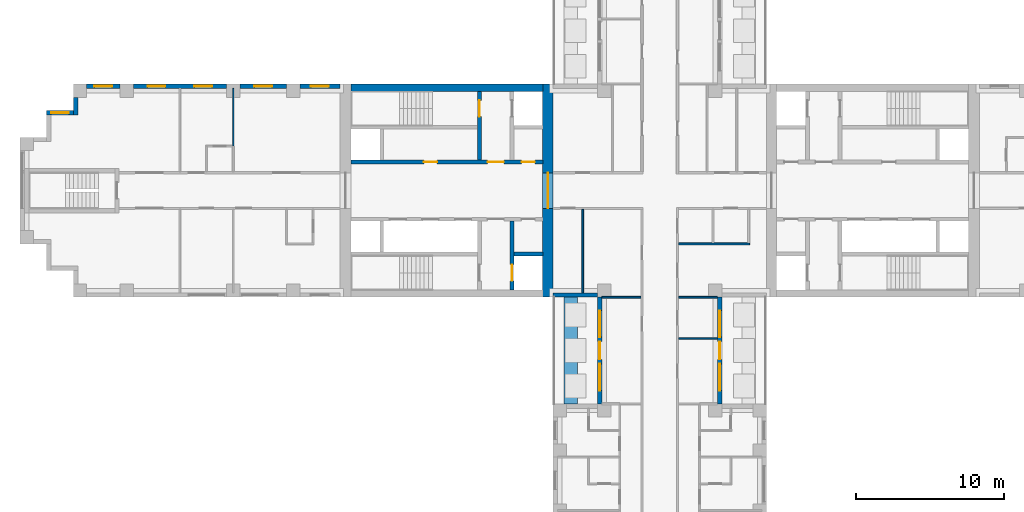
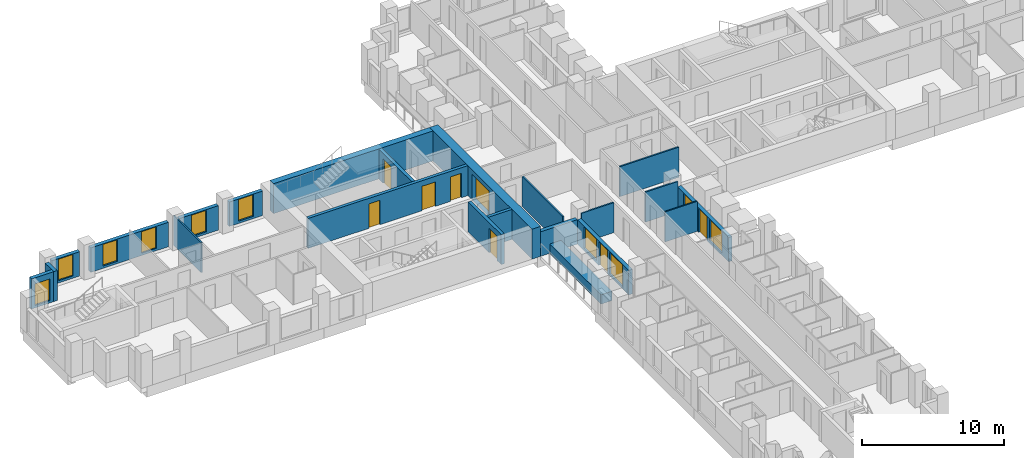
# One storey, part 7 of 14: 22 walls, 10 windows, 8 doors, 18 openings.
"""IFC4 building model written with IfcOpenShell, lengths in metres."""

from ifc_helpers import new_model, si_unit, direction, frame, frame_2d, origin, place, context, subcontext, project, spatial, rectangle, extrude, material, layer, layer_set, type_object, element, fill, save


model = new_model("IFC4")

# Units and contexts
model_context = context("Model", 3, precision=1e-05, world=origin(), true_north=direction((0.0, 1.0)))
body_context = subcontext(model_context, "Body", "Model", "MODEL_VIEW")
ifc_project = project(units=[si_unit("LENGTHUNIT", "METRE"), si_unit("AREAUNIT", "SQUARE_METRE"), si_unit("VOLUMEUNIT", "CUBIC_METRE"), si_unit("PLANEANGLEUNIT", "RADIAN"), si_unit("MASSUNIT", "GRAM", prefix="KILO")], contexts=[model_context])

# Site, building, storey
site_placement = place(None, origin())
site = spatial("IfcSite", under=ifc_project, at=site_placement, CompositionType="ELEMENT")
building_placement = place(site_placement, origin())
building = spatial("IfcBuilding", under=site, at=building_placement, Name="Fustian Cross Tower", CompositionType="ELEMENT")
storey_placement = place(building_placement, frame((0.0, 0.0, 99.89990234375)))
storey = spatial("IfcBuildingStorey", under=building, at=storey_placement, Name="L31", CompositionType="ELEMENT", Elevation=99.89990234375)

# Wall, opening, door
ifc_material_1 = material(Name="Concrete C70/85", Category="concrete")
ifc_layer_1 = layer(ifc_material_1, 0.699951171875)
ifc_layer_set_1 = layer_set([ifc_layer_1], Name="Concrete C70/85")
wall_type_1 = type_object("IfcWallType", Name="CORE END WALL 700 C70/85", PredefinedType="SHEAR", material=ifc_layer_set_1)
wall_1_placement = place(storey_placement, frame((-7.550048828125, -7.199951171875, 0.0), z_axis=(0.0, 0.0, 1.0), x_axis=(0.0, 1.0, 0.0)))
wall_1 = element("IfcWall", 1, at=wall_1_placement, inside=storey, type_object=wall_type_1, Name="Core end wall", PredefinedType="SHEAR", context=body_context, shape_type="SweptSolid", body=[
    extrude(rectangle(XDim=14.39990234375, YDim=0.699951171875, at=frame_2d((7.199951171875, 0.0))), origin(), (0.0, 0.0, 1.0), 2.5751953125),
])
opening_1_placement = place(wall_1_placement, frame((6.0, 0.0, 0.0)))
opening_1 = element("IfcOpeningElement", 2, at=opening_1_placement, cuts=wall_1, Name="Opening CD-09-26", PredefinedType="OPENING", context=body_context, shape_type="SweptSolid", body=[
    extrude(rectangle(XDim=2.39990234375, YDim=2.199951171875, at=frame_2d((1.199951171875, 1.10009765625))), frame((0.0, 0.35986328125, 0.0), z_axis=(0.0, -1.0, 0.0), x_axis=(1.0, 0.0, 0.0)), (0.0, 0.0, 1.0), 0.719970703125),
])
ifc_material_2 = material(Name="Steel", Category="steel")
door_type_1 = type_object("IfcDoorType", Name="FIRE DOOR FD30S DOUBLE 2400X2200", OperationType="DOUBLE_DOOR_DOUBLE_SWING", PredefinedType="DOOR", material=ifc_material_2)
door_1_placement = place(opening_1_placement, origin())
door_1 = element("IfcDoor", 3, at=door_1_placement, inside=storey, type_object=door_type_1, Name="Core door CD-09-26", OperationType="DOUBLE_DOOR_DOUBLE_SWING", OverallHeight=2.199951171875, OverallWidth=2.39990234375, PredefinedType="DOOR", context=body_context, shape_type="SweptSolid", body=[
    extrude(rectangle(XDim=2.39990234375, YDim=2.199951171875, at=frame_2d((1.199951171875, 1.10009765625))), frame((0.0, 0.02490234375, 0.0), z_axis=(0.0, -1.0, 0.0), x_axis=(1.0, 0.0, 0.0)), (0.0, 0.0, 1.0), 0.050048828125),
])
fill(opening_1, door_1)

# Wall
ifc_material_3 = material(Name="Concrete C70/85", Category="concrete")
ifc_layer_2 = layer(ifc_material_3, 0.5)
ifc_layer_set_2 = layer_set([ifc_layer_2], Name="Concrete C70/85")
wall_type_2 = type_object("IfcWallType", Name="CORE FACADE WALL 500 C70/85", PredefinedType="SHEAR", material=ifc_layer_set_2)
wall_2_placement = place(storey_placement, frame((-7.89990234375, 6.949951171875, 0.0), z_axis=(0.0, 0.0, 1.0), x_axis=(-1.0, 0.0, 0.0)))
element("IfcWall", 4, at=wall_2_placement, inside=storey, type_object=wall_type_2, Name="Core facade wall", PredefinedType="SHEAR", context=body_context, shape_type="SweptSolid", body=[
    extrude(rectangle(XDim=12.9501953125, YDim=0.5, at=frame_2d((6.47509765625, 0.0))), origin(), (0.0, 0.0, 1.0), 2.5751953125),
])

# Wall, openings, doors
ifc_material_4 = material(Name="Concrete C50/60", Category="concrete")
ifc_layer_3 = layer(ifc_material_4, 0.25)
ifc_layer_set_3 = layer_set([ifc_layer_3], Name="Concrete C50/60")
wall_type_3 = type_object("IfcWallType", Name="CORE LOBBY WALL 250 C50/60", PredefinedType="SHEAR", material=ifc_layer_set_3)
wall_3_placement = place(storey_placement, frame((-7.89990234375, 1.925048828125, 0.0), z_axis=(0.0, 0.0, 1.0), x_axis=(-1.0, 0.0, 0.0)))
wall_3 = element("IfcWall", 5, at=wall_3_placement, inside=storey, type_object=wall_type_3, Name="Core lobby wall", PredefinedType="SHEAR", context=body_context, shape_type="SweptSolid", body=[
    extrude(rectangle(XDim=12.9501953125, YDim=0.25, at=frame_2d((6.47509765625, 0.0))), origin(), (0.0, 0.0, 1.0), 2.5751953125),
])
opening_2_placement = place(wall_3_placement, frame((0.52490234375, 0.0, 0.0)))
opening_2 = element("IfcOpeningElement", 6, at=opening_2_placement, cuts=wall_3, Name="Opening CD-09-22", PredefinedType="OPENING", context=body_context, shape_type="SweptSolid", body=[
    extrude(rectangle(XDim=0.89990234375, YDim=2.10009765625, at=frame_2d((0.449951171875, 1.050048828125))), frame((0.0, 0.135009765625, 0.0), z_axis=(0.0, -1.0, 0.0), x_axis=(1.0, 0.0, 0.0)), (0.0, 0.0, 1.0), 0.27001953125),
])
opening_3_placement = place(wall_3_placement, frame((2.625, 0.0, 0.0)))
opening_3 = element("IfcOpeningElement", 7, at=opening_3_placement, cuts=wall_3, Name="Opening CD-09-24", PredefinedType="OPENING", context=body_context, shape_type="SweptSolid", body=[
    extrude(rectangle(XDim=1.10009765625, YDim=2.10009765625, at=frame_2d((0.550048828125, 1.050048828125))), frame((0.0, 0.135009765625, 0.0), z_axis=(0.0, -1.0, 0.0), x_axis=(1.0, 0.0, 0.0)), (0.0, 0.0, 1.0), 0.27001953125),
])
opening_4_placement = place(wall_3_placement, frame((7.125, 0.0, 0.0)))
opening_4 = element("IfcOpeningElement", 8, at=opening_4_placement, cuts=wall_3, Name="Opening CD-09-28", PredefinedType="OPENING", context=body_context, shape_type="SweptSolid", body=[
    extrude(rectangle(XDim=0.89990234375, YDim=2.10009765625, at=frame_2d((0.449951171875, 1.050048828125))), frame((0.0, 0.135009765625, 0.0), z_axis=(0.0, -1.0, 0.0), x_axis=(1.0, 0.0, 0.0)), (0.0, 0.0, 1.0), 0.27001953125),
])
ifc_material_5 = material(Name="Steel", Category="steel")
door_type_2 = type_object("IfcDoorType", Name="FIRE DOOR FD30S 900X2100", OperationType="SINGLE_SWING_LEFT", PredefinedType="DOOR", material=ifc_material_5)
door_2_placement = place(opening_4_placement, frame((0.89990234375, 0.0, 0.0), z_axis=(0.0, 0.0, 1.0), x_axis=(-1.0, 0.0, 0.0)))
door_2 = element("IfcDoor", 9, at=door_2_placement, inside=storey, type_object=door_type_2, Name="Core door CD-09-28", OperationType="SINGLE_SWING_RIGHT", OverallHeight=2.10009765625, OverallWidth=0.89990234375, PredefinedType="DOOR", context=body_context, shape_type="SweptSolid", body=[
    extrude(rectangle(XDim=0.89990234375, YDim=2.10009765625, at=frame_2d((0.449951171875, 1.050048828125))), frame((0.0, 0.02490234375, 0.0), z_axis=(0.0, -1.0, 0.0), x_axis=(1.0, 0.0, 0.0)), (0.0, 0.0, 1.0), 0.050048828125),
])
fill(opening_4, door_2)
ifc_material_6 = material(Name="Steel", Category="steel")
door_type_3 = type_object("IfcDoorType", Name="FIRE DOOR FD60S 1100X2100", OperationType="SINGLE_SWING_LEFT", PredefinedType="DOOR", material=ifc_material_6)
door_3_placement = place(opening_3_placement, frame((1.10009765625, 0.0, 0.0), z_axis=(0.0, 0.0, 1.0), x_axis=(-1.0, 0.0, 0.0)))
door_3 = element("IfcDoor", 10, at=door_3_placement, inside=storey, type_object=door_type_3, Name="Core door CD-09-24", OperationType="SINGLE_SWING_RIGHT", OverallHeight=2.10009765625, OverallWidth=1.10009765625, PredefinedType="DOOR", context=body_context, shape_type="SweptSolid", body=[
    extrude(rectangle(XDim=1.10009765625, YDim=2.10009765625, at=frame_2d((0.550048828125, 1.050048828125))), frame((0.0, 0.02490234375, 0.0), z_axis=(0.0, -1.0, 0.0), x_axis=(1.0, 0.0, 0.0)), (0.0, 0.0, 1.0), 0.050048828125),
])
fill(opening_3, door_3)
ifc_material_7 = material(Name="Steel", Category="steel")
door_type_4 = type_object("IfcDoorType", Name="FIRE DOOR FD60S 900X2100", OperationType="SINGLE_SWING_LEFT", PredefinedType="DOOR", material=ifc_material_7)
door_4_placement = place(opening_2_placement, frame((0.89990234375, 0.0, 0.0), z_axis=(0.0, 0.0, 1.0), x_axis=(-1.0, 0.0, 0.0)))
door_4 = element("IfcDoor", 11, at=door_4_placement, inside=storey, type_object=door_type_4, Name="Core door CD-09-22", OperationType="SINGLE_SWING_RIGHT", OverallHeight=2.10009765625, OverallWidth=0.89990234375, PredefinedType="DOOR", context=body_context, shape_type="SweptSolid", body=[
    extrude(rectangle(XDim=0.89990234375, YDim=2.10009765625, at=frame_2d((0.449951171875, 1.050048828125))), frame((0.0, 0.02490234375, 0.0), z_axis=(0.0, -1.0, 0.0), x_axis=(1.0, 0.0, 0.0)), (0.0, 0.0, 1.0), 0.050048828125),
])
fill(opening_2, door_4)

# Wall, opening, door
ifc_material_8 = material(Name="Concrete C50/60", Category="concrete")
ifc_layer_4 = layer(ifc_material_8, 0.25)
ifc_layer_set_4 = layer_set([ifc_layer_4], Name="Concrete C50/60")
wall_type_4 = type_object("IfcWallType", Name="CORE SHAFT WALL 250 C50/60", PredefinedType="SHEAR", material=ifc_layer_set_4)
wall_4_placement = place(storey_placement, frame((-12.175048828125, 2.050048828125, 0.0), z_axis=(0.0, 0.0, 1.0), x_axis=(0.0, 1.0, 0.0)))
wall_4 = element("IfcWall", 12, at=wall_4_placement, inside=storey, type_object=wall_type_4, Name="Core shaft wall", PredefinedType="SHEAR", context=body_context, shape_type="SweptSolid", body=[
    extrude(rectangle(XDim=4.64990234375, YDim=0.25, at=frame_2d((2.324951171875, 0.0))), origin(), (0.0, 0.0, 1.0), 2.5751953125),
])
opening_5_placement = place(wall_4_placement, frame((2.949951171875, 0.0, 0.0)))
opening_5 = element("IfcOpeningElement", 13, at=opening_5_placement, cuts=wall_4, Name="Opening CD-09-20", PredefinedType="OPENING", context=body_context, shape_type="SweptSolid", body=[
    extrude(rectangle(XDim=1.10009765625, YDim=2.10009765625, at=frame_2d((0.550048828125, 1.050048828125))), frame((0.0, 0.135009765625, 0.0), z_axis=(0.0, -1.0, 0.0), x_axis=(1.0, 0.0, 0.0)), (0.0, 0.0, 1.0), 0.27001953125),
])
door_5_placement = place(opening_5_placement, origin())
door_5 = element("IfcDoor", 14, at=door_5_placement, inside=storey, type_object=door_type_3, Name="Core door CD-09-20", OperationType="SINGLE_SWING_LEFT", OverallHeight=2.10009765625, OverallWidth=1.10009765625, PredefinedType="DOOR", context=body_context, shape_type="SweptSolid", body=[
    extrude(rectangle(XDim=1.10009765625, YDim=2.10009765625, at=frame_2d((0.550048828125, 1.050048828125))), frame((0.0, 0.02490234375, 0.0), z_axis=(0.0, -1.0, 0.0), x_axis=(1.0, 0.0, 0.0)), (0.0, 0.0, 1.0), 0.050048828125),
])
fill(opening_5, door_5)

# Wall
wall_5_placement = place(storey_placement, frame((-7.89990234375, -4.27490234375, 0.0), z_axis=(0.0, 0.0, 1.0), x_axis=(-1.0, 0.0, 0.0)))
element("IfcWall", 15, at=wall_5_placement, inside=storey, type_object=wall_type_4, Name="Core shaft wall", PredefinedType="SHEAR", context=body_context, shape_type="SweptSolid", body=[
    extrude(rectangle(XDim=1.9501953125, YDim=0.25, at=frame_2d((0.97509765625, 0.0))), origin(), (0.0, 0.0, 1.0), 2.5751953125),
])

# Wall, opening, door
wall_6_placement = place(storey_placement, frame((-9.97509765625, -2.050048828125, 0.0), z_axis=(0.0, 0.0, 1.0), x_axis=(0.0, -1.0, 0.0)))
wall_6 = element("IfcWall", 16, at=wall_6_placement, inside=storey, type_object=wall_type_4, Name="Core shaft wall", PredefinedType="SHEAR", context=body_context, shape_type="SweptSolid", body=[
    extrude(rectangle(XDim=4.64990234375, YDim=0.25, at=frame_2d((2.324951171875, 0.0))), origin(), (0.0, 0.0, 1.0), 2.5751953125),
])
opening_6_placement = place(wall_6_placement, frame((2.949951171875, 0.0, 0.0)))
opening_6 = element("IfcOpeningElement", 17, at=opening_6_placement, cuts=wall_6, Name="Opening LD", PredefinedType="OPENING", context=body_context, shape_type="SweptSolid", body=[
    extrude(rectangle(XDim=1.10009765625, YDim=2.10009765625, at=frame_2d((0.550048828125, 1.050048828125))), frame((0.0, 0.135009765625, 0.0), z_axis=(0.0, -1.0, 0.0), x_axis=(1.0, 0.0, 0.0)), (0.0, 0.0, 1.0), 0.27001953125),
])
ifc_material_9 = material(Name="Stainless steel", Category="steel")
door_type_5 = type_object("IfcDoorType", Name="LIFT LANDING DOOR 1100X2100", OperationType="SLIDING_TO_LEFT", PredefinedType="DOOR", material=ifc_material_9)
door_6_placement = place(opening_6_placement, origin())
door_6 = element("IfcDoor", 18, at=door_6_placement, inside=storey, type_object=door_type_5, Name="Landing door SV1W", OperationType="SLIDING_TO_LEFT", OverallHeight=2.10009765625, OverallWidth=1.10009765625, PredefinedType="DOOR", context=body_context, shape_type="SweptSolid", body=[
    extrude(rectangle(XDim=1.10009765625, YDim=2.10009765625, at=frame_2d((0.550048828125, 1.050048828125))), frame((0.0, 0.02490234375, 0.0), z_axis=(0.0, -1.0, 0.0), x_axis=(1.0, 0.0, 0.0)), (0.0, 0.0, 1.0), 0.050048828125),
])
fill(opening_6, door_6)

# Walls
ifc_material_10 = material(Name="Plasterboard on steel stud", Category="steel")
ifc_layer_5 = layer(ifc_material_10, 0.10009765625)
ifc_layer_set_5 = layer_set([ifc_layer_5], Name="Plasterboard on steel stud")
wall_type_5 = type_object("IfcWallType", Name="PARTITION 100 STUD", PredefinedType="PARTITIONING", material=ifc_layer_set_5)
wall_7_placement = place(storey_placement, frame((-28.800048828125, 3.0, 0.0), z_axis=(0.0, 0.0, 1.0), x_axis=(0.0, 1.0, 0.0)))
element("IfcWall", 19, at=wall_7_placement, inside=storey, type_object=wall_type_5, Name="Partition 9", PredefinedType="PARTITIONING", context=body_context, shape_type="SweptSolid", body=[
    extrude(rectangle(XDim=3.89990234375, YDim=0.10009765625, at=frame_2d((1.949951171875, 0.0))), origin(), (0.0, 0.0, 1.0), 2.5751953125),
])
wall_8_placement = place(storey_placement, frame((1.27490234375, -10.0, 0.0), z_axis=(0.0, 0.0, 1.0), x_axis=(1.0, 0.0, 0.0)))
element("IfcWall", 20, at=wall_8_placement, inside=storey, type_object=wall_type_5, Name="Partition 46", PredefinedType="PARTITIONING", context=body_context, shape_type="SweptSolid", body=[
    extrude(rectangle(XDim=2.625, YDim=0.10009765625, at=frame_2d((1.3125, 0.0))), origin(), (0.0, 0.0, 1.0), 2.5751953125),
])
ifc_material_11 = material(Name="Concrete C40/50", Category="concrete")
ifc_layer_6 = layer(ifc_material_11, 0.89990234375)
ifc_layer_set_6 = layer_set([ifc_layer_6], Name="Concrete C40/50")
wall_type_6 = type_object("IfcWallType", Name="PK1 PLANTER 900", PredefinedType="PARAPET", material=ifc_layer_set_6)
wall_9_placement = place(storey_placement, frame((-6.0, -14.39990234375, 0.0), z_axis=(0.0, 0.0, 1.0), x_axis=(0.0, 1.0, 0.0)))
element("IfcWall", 21, at=wall_9_placement, inside=storey, type_object=wall_type_6, Name="PLANTER", PredefinedType="PARAPET", context=body_context, shape_type="SweptSolid", body=[
    extrude(rectangle(XDim=7.199951171875, YDim=0.89990234375, at=frame_2d((3.60009765625, 0.0))), origin(), (0.0, 0.0, 1.0), 0.800048828125),
])
ifc_material_12 = material(Name="Plasterboard on steel stud", Category="steel")
ifc_layer_7 = layer(ifc_material_12, 0.125)
ifc_layer_set_7 = layer_set([ifc_layer_7], Name="Plasterboard on steel stud")
wall_type_7 = type_object("IfcWallType", Name="WET WALL 125 STUD", PredefinedType="PARTITIONING", material=ifc_layer_set_7)
wall_10_placement = place(storey_placement, frame((-5.199951171875, -6.89990234375, 0.0), z_axis=(0.0, 0.0, 1.0), x_axis=(0.0, 1.0, 0.0)))
element("IfcWall", 22, at=wall_10_placement, inside=storey, type_object=wall_type_7, Name="Partition 22", PredefinedType="PARTITIONING", context=body_context, shape_type="SweptSolid", body=[
    extrude(rectangle(XDim=5.625, YDim=0.125, at=frame_2d((2.8125, 0.0))), origin(), (0.0, 0.0, 1.0), 2.5751953125),
])
for number, where, z_axis, x_axis, name in (
    (23, (-3.89990234375, -7.199951171875, 0.0), (0.0, 0.0, 1.0), (1.0, 0.0, 0.0), "Partition 34"),
    (24, (1.27490234375, -7.199951171875, 0.0), (0.0, 0.0, 1.0), (1.0, 0.0, 0.0), "Partition 47"),
):
    element("IfcWall", number, at=place(storey_placement, frame(where, z_axis=z_axis, x_axis=x_axis)), inside=storey, type_object=wall_type_7, Name=name, PredefinedType="PARTITIONING", context=body_context, shape_type="SweptSolid", body=[
        extrude(rectangle(XDim=2.625, YDim=0.125, at=frame_2d((1.3125, 0.0))), origin(), (0.0, 0.0, 1.0), 2.5751953125),
    ])
wall_11_placement = place(storey_placement, frame((1.27490234375, -3.60009765625, 0.0), z_axis=(0.0, 0.0, 1.0), x_axis=(1.0, 0.0, 0.0)))
element("IfcWall", 25, at=wall_11_placement, inside=storey, type_object=wall_type_7, Name="Partition 48", PredefinedType="PARTITIONING", context=body_context, shape_type="SweptSolid", body=[
    extrude(rectangle(XDim=4.78759765625, YDim=0.125, at=frame_2d((2.393798828125, 0.0))), origin(), (0.0, 0.0, 1.0), 2.5751953125),
])

# Wall, opening, window
ifc_material_13 = material(Name="Dark aluminium cladding on insulated backing wall", Category="aluminium")
ifc_layer_8 = layer(ifc_material_13, 0.300048828125)
ifc_layer_set_8 = layer_set([ifc_layer_8], Name="Dark aluminium cladding on insulated backing wall")
wall_type_8 = type_object("IfcWallType", Name="XW1 EXTERNAL WALL 300", PredefinedType="SOLIDWALL", material=ifc_layer_set_8)
wall_12_placement = place(storey_placement, frame((-21.60009765625, 7.050048828125, 0.0), z_axis=(0.0, 0.0, 1.0), x_axis=(-1.0, 0.0, 0.0)))
wall_12 = element("IfcWall", 26, at=wall_12_placement, inside=storey, type_object=wall_type_8, Name="External wall", PredefinedType="SOLIDWALL", context=body_context, shape_type="SweptSolid", body=[
    extrude(rectangle(XDim=2.699951171875, YDim=0.300048828125, at=frame_2d((1.35009765625, 0.0))), origin(), (0.0, 0.0, 1.0), 2.10009765625),
])
opening_7_placement = place(wall_12_placement, frame((0.75, 0.0, 0.199951171875)))
opening_7 = element("IfcOpeningElement", 27, at=opening_7_placement, cuts=wall_12, Name="Opening WN3", PredefinedType="OPENING", context=body_context, shape_type="SweptSolid", body=[
    extrude(rectangle(XDim=1.199951171875, YDim=1.85009765625, at=frame_2d((0.60009765625, 0.925048828125))), frame((0.0, 0.159912109375, 0.0), z_axis=(0.0, -1.0, 0.0), x_axis=(1.0, 0.0, 0.0)), (0.0, 0.0, 1.0), 0.320068359375),
])
ifc_material_14 = material(Name="Dark anodised aluminium and double glazing", Category="aluminium")
window_type_1 = type_object("IfcWindowType", Name="WN3 WINDOW 1200X1850", PartitioningType="SINGLE_PANEL", PredefinedType="WINDOW", material=ifc_material_14)
window_1_placement = place(opening_7_placement, origin())
window_1 = element("IfcWindow", 28, at=window_1_placement, inside=storey, type_object=window_type_1, Name="Window", OverallHeight=1.85009765625, OverallWidth=1.199951171875, PartitioningType="SINGLE_PANEL", PredefinedType="WINDOW", context=body_context, shape_type="SweptSolid", body=[
    extrude(rectangle(XDim=1.199951171875, YDim=1.85009765625, at=frame_2d((0.60009765625, 0.925048828125))), frame((0.0, 0.030029296875, 0.0), z_axis=(0.0, -1.0, 0.0), x_axis=(1.0, 0.0, 0.0)), (0.0, 0.0, 1.0), 0.06005859375),
])
fill(opening_7, window_1)

wall_13_placement = place(storey_placement, frame((-25.199951171875, 7.050048828125, 0.0), z_axis=(0.0, 0.0, 1.0), x_axis=(-1.0, 0.0, 0.0)))
wall_13 = element("IfcWall", 29, at=wall_13_placement, inside=storey, type_object=wall_type_8, Name="External wall", PredefinedType="SOLIDWALL", context=body_context, shape_type="SweptSolid", body=[
    extrude(rectangle(XDim=3.150146484375, YDim=0.300048828125, at=frame_2d((1.5751953125, 0.0))), origin(), (0.0, 0.0, 1.0), 2.10009765625),
])
opening_8_placement = place(wall_13_placement, frame((0.97509765625, 0.0, 0.199951171875)))
opening_8 = element("IfcOpeningElement", 30, at=opening_8_placement, cuts=wall_13, Name="Opening WN3", PredefinedType="OPENING", context=body_context, shape_type="SweptSolid", body=[
    extrude(rectangle(XDim=1.199951171875, YDim=1.85009765625, at=frame_2d((0.60009765625, 0.925048828125))), frame((0.0, 0.159912109375, 0.0), z_axis=(0.0, -1.0, 0.0), x_axis=(1.0, 0.0, 0.0)), (0.0, 0.0, 1.0), 0.320068359375),
])
window_2_placement = place(opening_8_placement, origin())
window_2 = element("IfcWindow", 31, at=window_2_placement, inside=storey, type_object=window_type_1, Name="Window", OverallHeight=1.85009765625, OverallWidth=1.199951171875, PartitioningType="SINGLE_PANEL", PredefinedType="WINDOW", context=body_context, shape_type="SweptSolid", body=[
    extrude(rectangle(XDim=1.199951171875, YDim=1.85009765625, at=frame_2d((0.60009765625, 0.925048828125))), frame((0.0, 0.030029296875, 0.0), z_axis=(0.0, -1.0, 0.0), x_axis=(1.0, 0.0, 0.0)), (0.0, 0.0, 1.0), 0.06005859375),
])
fill(opening_8, window_2)

# Wall, openings, windows
wall_14_placement = place(storey_placement, frame((-29.25, 7.050048828125, 0.0), z_axis=(0.0, 0.0, 1.0), x_axis=(-1.0, 0.0, 0.0)))
wall_14 = element("IfcWall", 32, at=wall_14_placement, inside=storey, type_object=wall_type_8, Name="External wall", PredefinedType="SOLIDWALL", context=body_context, shape_type="SweptSolid", body=[
    extrude(rectangle(XDim=6.300048828125, YDim=0.300048828125, at=frame_2d((3.14990234375, 0.0))), origin(), (0.0, 0.0, 1.0), 2.10009765625),
])
opening_9_placement = place(wall_14_placement, frame((0.97509765625, 0.0, 0.199951171875)))
opening_9 = element("IfcOpeningElement", 33, at=opening_9_placement, cuts=wall_14, Name="Opening WN3", PredefinedType="OPENING", context=body_context, shape_type="SweptSolid", body=[
    extrude(rectangle(XDim=1.199951171875, YDim=1.85009765625, at=frame_2d((0.60009765625, 0.925048828125))), frame((0.0, 0.159912109375, 0.0), z_axis=(0.0, -1.0, 0.0), x_axis=(1.0, 0.0, 0.0)), (0.0, 0.0, 1.0), 0.320068359375),
])
opening_10_placement = place(wall_14_placement, frame((4.125, 0.0, 0.199951171875)))
opening_10 = element("IfcOpeningElement", 34, at=opening_10_placement, cuts=wall_14, Name="Opening WN3", PredefinedType="OPENING", context=body_context, shape_type="SweptSolid", body=[
    extrude(rectangle(XDim=1.199951171875, YDim=1.85009765625, at=frame_2d((0.60009765625, 0.925048828125))), frame((0.0, 0.159912109375, 0.0), z_axis=(0.0, -1.0, 0.0), x_axis=(1.0, 0.0, 0.0)), (0.0, 0.0, 1.0), 0.320068359375),
])
window_3_placement = place(opening_9_placement, origin())
window_3 = element("IfcWindow", 35, at=window_3_placement, inside=storey, type_object=window_type_1, Name="Window", OverallHeight=1.85009765625, OverallWidth=1.199951171875, PartitioningType="SINGLE_PANEL", PredefinedType="WINDOW", context=body_context, shape_type="SweptSolid", body=[
    extrude(rectangle(XDim=1.199951171875, YDim=1.85009765625, at=frame_2d((0.60009765625, 0.925048828125))), frame((0.0, 0.030029296875, 0.0), z_axis=(0.0, -1.0, 0.0), x_axis=(1.0, 0.0, 0.0)), (0.0, 0.0, 1.0), 0.06005859375),
])
fill(opening_9, window_3)
window_4_placement = place(opening_10_placement, origin())
window_4 = element("IfcWindow", 36, at=window_4_placement, inside=storey, type_object=window_type_1, Name="Window", OverallHeight=1.85009765625, OverallWidth=1.199951171875, PartitioningType="SINGLE_PANEL", PredefinedType="WINDOW", context=body_context, shape_type="SweptSolid", body=[
    extrude(rectangle(XDim=1.199951171875, YDim=1.85009765625, at=frame_2d((0.60009765625, 0.925048828125))), frame((0.0, 0.030029296875, 0.0), z_axis=(0.0, -1.0, 0.0), x_axis=(1.0, 0.0, 0.0)), (0.0, 0.0, 1.0), 0.06005859375),
])
fill(opening_10, window_4)

# Wall, opening, window
wall_15_placement = place(storey_placement, frame((-36.449951171875, 7.050048828125, 0.0), z_axis=(0.0, 0.0, 1.0), x_axis=(-1.0, 0.0, 0.0)))
wall_15 = element("IfcWall", 37, at=wall_15_placement, inside=storey, type_object=wall_type_8, Name="External wall", PredefinedType="SOLIDWALL", context=body_context, shape_type="SweptSolid", body=[
    extrude(rectangle(XDim=2.25, YDim=0.300048828125, at=frame_2d((1.125, 0.0))), origin(), (0.0, 0.0, 1.0), 2.10009765625),
])
opening_11_placement = place(wall_15_placement, frame((0.52490234375, 0.0, 0.199951171875)))
opening_11 = element("IfcOpeningElement", 38, at=opening_11_placement, cuts=wall_15, Name="Opening WN3", PredefinedType="OPENING", context=body_context, shape_type="SweptSolid", body=[
    extrude(rectangle(XDim=1.199951171875, YDim=1.85009765625, at=frame_2d((0.60009765625, 0.925048828125))), frame((0.0, 0.159912109375, 0.0), z_axis=(0.0, -1.0, 0.0), x_axis=(1.0, 0.0, 0.0)), (0.0, 0.0, 1.0), 0.320068359375),
])
window_5_placement = place(opening_11_placement, origin())
window_5 = element("IfcWindow", 39, at=window_5_placement, inside=storey, type_object=window_type_1, Name="Window", OverallHeight=1.85009765625, OverallWidth=1.199951171875, PartitioningType="SINGLE_PANEL", PredefinedType="WINDOW", context=body_context, shape_type="SweptSolid", body=[
    extrude(rectangle(XDim=1.199951171875, YDim=1.85009765625, at=frame_2d((0.60009765625, 0.925048828125))), frame((0.0, 0.030029296875, 0.0), z_axis=(0.0, -1.0, 0.0), x_axis=(1.0, 0.0, 0.0)), (0.0, 0.0, 1.0), 0.06005859375),
])
fill(opening_11, window_5)

# Wall
wall_16_placement = place(storey_placement, frame((-39.449951171875, 6.300048828125, 0.0), z_axis=(0.0, 0.0, 1.0), x_axis=(0.0, -1.0, 0.0)))
element("IfcWall", 40, at=wall_16_placement, inside=storey, type_object=wall_type_8, Name="External wall", PredefinedType="SOLIDWALL", context=body_context, shape_type="SweptSolid", body=[
    extrude(rectangle(XDim=1.199951171875, YDim=0.300048828125, at=frame_2d((0.60009765625, 0.0))), origin(), (0.0, 0.0, 1.0), 2.5751953125),
])

# Wall, opening, window
wall_17_placement = place(storey_placement, frame((-39.60009765625, 5.25, 0.0), z_axis=(0.0, 0.0, 1.0), x_axis=(-1.0, 0.0, 0.0)))
wall_17 = element("IfcWall", 41, at=wall_17_placement, inside=storey, type_object=wall_type_8, Name="External wall", PredefinedType="SOLIDWALL", context=body_context, shape_type="SweptSolid", body=[
    extrude(rectangle(XDim=1.7998046875, YDim=0.300048828125, at=frame_2d((0.89990234375, 0.0))), origin(), (0.0, 0.0, 1.0), 2.5751953125),
])
opening_12_placement = place(wall_17_placement, frame((0.300048828125, 0.0, 0.199951171875)))
opening_12 = element("IfcOpeningElement", 42, at=opening_12_placement, cuts=wall_17, Name="Opening WN3", PredefinedType="OPENING", context=body_context, shape_type="SweptSolid", body=[
    extrude(rectangle(XDim=1.199951171875, YDim=1.85009765625, at=frame_2d((0.60009765625, 0.925048828125))), frame((0.0, 0.159912109375, 0.0), z_axis=(0.0, -1.0, 0.0), x_axis=(1.0, 0.0, 0.0)), (0.0, 0.0, 1.0), 0.320068359375),
])
window_6_placement = place(opening_12_placement, origin())
window_6 = element("IfcWindow", 43, at=window_6_placement, inside=storey, type_object=window_type_1, Name="Window", OverallHeight=1.85009765625, OverallWidth=1.199951171875, PartitioningType="SINGLE_PANEL", PredefinedType="WINDOW", context=body_context, shape_type="SweptSolid", body=[
    extrude(rectangle(XDim=1.199951171875, YDim=1.85009765625, at=frame_2d((0.60009765625, 0.925048828125))), frame((0.0, 0.030029296875, 0.0), z_axis=(0.0, -1.0, 0.0), x_axis=(1.0, 0.0, 0.0)), (0.0, 0.0, 1.0), 0.06005859375),
])
fill(opening_12, window_6)

# Wall
wall_18_placement = place(storey_placement, frame((-7.199951171875, -7.050048828125, 0.0), z_axis=(0.0, 0.0, 1.0), x_axis=(1.0, 0.0, 0.0)))
element("IfcWall", 44, at=wall_18_placement, inside=storey, type_object=wall_type_8, Name="External wall", PredefinedType="SOLIDWALL", context=body_context, shape_type="SweptSolid", body=[
    extrude(rectangle(XDim=3.0, YDim=0.300048828125, at=frame_2d((1.5, 0.0))), origin(), (0.0, 0.0, 1.0), 2.10009765625),
])

# Wall, openings, door, windows
wall_19_placement = place(storey_placement, frame((-4.050048828125, -7.199951171875, 0.0), z_axis=(0.0, 0.0, 1.0), x_axis=(0.0, -1.0, 0.0)))
wall_19 = element("IfcWall", 45, at=wall_19_placement, inside=storey, type_object=wall_type_8, Name="External wall", PredefinedType="SOLIDWALL", context=body_context, shape_type="SweptSolid", body=[
    extrude(rectangle(XDim=7.199951171875, YDim=0.300048828125, at=frame_2d((3.60009765625, 0.0))), origin(), (0.0, 0.0, 1.0), 2.10009765625),
])
opening_13_placement = place(wall_19_placement, frame((3.0, 0.0, 0.0)))
opening_13 = element("IfcOpeningElement", 46, at=opening_13_placement, cuts=wall_19, Name="Opening XD4", PredefinedType="OPENING", context=body_context, shape_type="SweptSolid", body=[
    extrude(rectangle(XDim=1.199951171875, YDim=2.050048828125, at=frame_2d((0.60009765625, 1.02490234375))), frame((0.0, 0.159912109375, 0.0), z_axis=(0.0, -1.0, 0.0), x_axis=(1.0, 0.0, 0.0)), (0.0, 0.0, 1.0), 0.320068359375),
])
opening_14_placement = place(wall_19_placement, frame((0.89990234375, 0.0, 0.199951171875)))
opening_14 = element("IfcOpeningElement", 47, at=opening_14_placement, cuts=wall_19, Name="Opening WN2", PredefinedType="OPENING", context=body_context, shape_type="SweptSolid", body=[
    extrude(rectangle(XDim=1.800048828125, YDim=1.85009765625, at=frame_2d((0.89990234375, 0.925048828125))), frame((0.0, 0.159912109375, 0.0), z_axis=(0.0, -1.0, 0.0), x_axis=(1.0, 0.0, 0.0)), (0.0, 0.0, 1.0), 0.320068359375),
])
opening_15_placement = place(wall_19_placement, frame((4.5, 0.0, 0.199951171875)))
opening_15 = element("IfcOpeningElement", 48, at=opening_15_placement, cuts=wall_19, Name="Opening WN2", PredefinedType="OPENING", context=body_context, shape_type="SweptSolid", body=[
    extrude(rectangle(XDim=1.800048828125, YDim=1.85009765625, at=frame_2d((0.89990234375, 0.925048828125))), frame((0.0, 0.159912109375, 0.0), z_axis=(0.0, -1.0, 0.0), x_axis=(1.0, 0.0, 0.0)), (0.0, 0.0, 1.0), 0.320068359375),
])
ifc_material_15 = material(Name="Dark anodised aluminium and double glazing", Category="aluminium")
door_type_6 = type_object("IfcDoorType", Name="ED1 BALCONY DOOR 1200X2050", OperationType="SINGLE_SWING_LEFT", PredefinedType="DOOR", material=ifc_material_15)
door_7_placement = place(opening_13_placement, origin())
door_7 = element("IfcDoor", 49, at=door_7_placement, inside=storey, type_object=door_type_6, Name="Balcony door", OperationType="SINGLE_SWING_LEFT", OverallHeight=2.050048828125, OverallWidth=1.199951171875, PredefinedType="DOOR", context=body_context, shape_type="SweptSolid", body=[
    extrude(rectangle(XDim=1.199951171875, YDim=2.050048828125, at=frame_2d((0.60009765625, 1.02490234375))), frame((0.0, 0.02490234375, 0.0), z_axis=(0.0, -1.0, 0.0), x_axis=(1.0, 0.0, 0.0)), (0.0, 0.0, 1.0), 0.050048828125),
])
fill(opening_13, door_7)
ifc_material_16 = material(Name="Dark anodised aluminium and double glazing", Category="aluminium")
window_type_2 = type_object("IfcWindowType", Name="WN2 WINDOW 1800X1850", PartitioningType="SINGLE_PANEL", PredefinedType="WINDOW", material=ifc_material_16)
window_7_placement = place(opening_14_placement, origin())
window_7 = element("IfcWindow", 50, at=window_7_placement, inside=storey, type_object=window_type_2, Name="Window", OverallHeight=1.85009765625, OverallWidth=1.800048828125, PartitioningType="SINGLE_PANEL", PredefinedType="WINDOW", context=body_context, shape_type="SweptSolid", body=[
    extrude(rectangle(XDim=1.800048828125, YDim=1.85009765625, at=frame_2d((0.89990234375, 0.925048828125))), frame((0.0, 0.030029296875, 0.0), z_axis=(0.0, -1.0, 0.0), x_axis=(1.0, 0.0, 0.0)), (0.0, 0.0, 1.0), 0.06005859375),
])
fill(opening_14, window_7)
window_8_placement = place(opening_15_placement, origin())
window_8 = element("IfcWindow", 51, at=window_8_placement, inside=storey, type_object=window_type_2, Name="Window", OverallHeight=1.85009765625, OverallWidth=1.800048828125, PartitioningType="SINGLE_PANEL", PredefinedType="WINDOW", context=body_context, shape_type="SweptSolid", body=[
    extrude(rectangle(XDim=1.800048828125, YDim=1.85009765625, at=frame_2d((0.89990234375, 0.925048828125))), frame((0.0, 0.030029296875, 0.0), z_axis=(0.0, -1.0, 0.0), x_axis=(1.0, 0.0, 0.0)), (0.0, 0.0, 1.0), 0.06005859375),
])
fill(opening_15, window_8)

wall_20_placement = place(storey_placement, frame((4.050048828125, -14.39990234375, 0.0), z_axis=(0.0, 0.0, 1.0), x_axis=(0.0, 1.0, 0.0)))
wall_20 = element("IfcWall", 52, at=wall_20_placement, inside=storey, type_object=wall_type_8, Name="External wall", PredefinedType="SOLIDWALL", context=body_context, shape_type="SweptSolid", body=[
    extrude(rectangle(XDim=7.199951171875, YDim=0.300048828125, at=frame_2d((3.60009765625, 0.0))), origin(), (0.0, 0.0, 1.0), 2.10009765625),
])
opening_16_placement = place(wall_20_placement, frame((3.0, 0.0, 0.0)))
opening_16 = element("IfcOpeningElement", 53, at=opening_16_placement, cuts=wall_20, Name="Opening XD3", PredefinedType="OPENING", context=body_context, shape_type="SweptSolid", body=[
    extrude(rectangle(XDim=1.199951171875, YDim=2.050048828125, at=frame_2d((0.60009765625, 1.02490234375))), frame((0.0, 0.159912109375, 0.0), z_axis=(0.0, -1.0, 0.0), x_axis=(1.0, 0.0, 0.0)), (0.0, 0.0, 1.0), 0.320068359375),
])
opening_17_placement = place(wall_20_placement, frame((0.89990234375, 0.0, 0.199951171875)))
opening_17 = element("IfcOpeningElement", 54, at=opening_17_placement, cuts=wall_20, Name="Opening WN2", PredefinedType="OPENING", context=body_context, shape_type="SweptSolid", body=[
    extrude(rectangle(XDim=1.800048828125, YDim=1.85009765625, at=frame_2d((0.89990234375, 0.925048828125))), frame((0.0, 0.159912109375, 0.0), z_axis=(0.0, -1.0, 0.0), x_axis=(1.0, 0.0, 0.0)), (0.0, 0.0, 1.0), 0.320068359375),
])
opening_18_placement = place(wall_20_placement, frame((4.5, 0.0, 0.199951171875)))
opening_18 = element("IfcOpeningElement", 55, at=opening_18_placement, cuts=wall_20, Name="Opening WN2", PredefinedType="OPENING", context=body_context, shape_type="SweptSolid", body=[
    extrude(rectangle(XDim=1.800048828125, YDim=1.85009765625, at=frame_2d((0.89990234375, 0.925048828125))), frame((0.0, 0.159912109375, 0.0), z_axis=(0.0, -1.0, 0.0), x_axis=(1.0, 0.0, 0.0)), (0.0, 0.0, 1.0), 0.320068359375),
])
door_8_placement = place(opening_16_placement, origin())
door_8 = element("IfcDoor", 56, at=door_8_placement, inside=storey, type_object=door_type_6, Name="Balcony door", OperationType="SINGLE_SWING_LEFT", OverallHeight=2.050048828125, OverallWidth=1.199951171875, PredefinedType="DOOR", context=body_context, shape_type="SweptSolid", body=[
    extrude(rectangle(XDim=1.199951171875, YDim=2.050048828125, at=frame_2d((0.60009765625, 1.02490234375))), frame((0.0, 0.02490234375, 0.0), z_axis=(0.0, -1.0, 0.0), x_axis=(1.0, 0.0, 0.0)), (0.0, 0.0, 1.0), 0.050048828125),
])
fill(opening_16, door_8)
window_9_placement = place(opening_17_placement, origin())
window_9 = element("IfcWindow", 57, at=window_9_placement, inside=storey, type_object=window_type_2, Name="Window", OverallHeight=1.85009765625, OverallWidth=1.800048828125, PartitioningType="SINGLE_PANEL", PredefinedType="WINDOW", context=body_context, shape_type="SweptSolid", body=[
    extrude(rectangle(XDim=1.800048828125, YDim=1.85009765625, at=frame_2d((0.89990234375, 0.925048828125))), frame((0.0, 0.030029296875, 0.0), z_axis=(0.0, -1.0, 0.0), x_axis=(1.0, 0.0, 0.0)), (0.0, 0.0, 1.0), 0.06005859375),
])
fill(opening_17, window_9)
window_10_placement = place(opening_18_placement, origin())
window_10 = element("IfcWindow", 58, at=window_10_placement, inside=storey, type_object=window_type_2, Name="Window", OverallHeight=1.85009765625, OverallWidth=1.800048828125, PartitioningType="SINGLE_PANEL", PredefinedType="WINDOW", context=body_context, shape_type="SweptSolid", body=[
    extrude(rectangle(XDim=1.800048828125, YDim=1.85009765625, at=frame_2d((0.89990234375, 0.925048828125))), frame((0.0, 0.030029296875, 0.0), z_axis=(0.0, -1.0, 0.0), x_axis=(1.0, 0.0, 0.0)), (0.0, 0.0, 1.0), 0.06005859375),
])
fill(opening_18, window_10)

save(model, "model.ifc")
